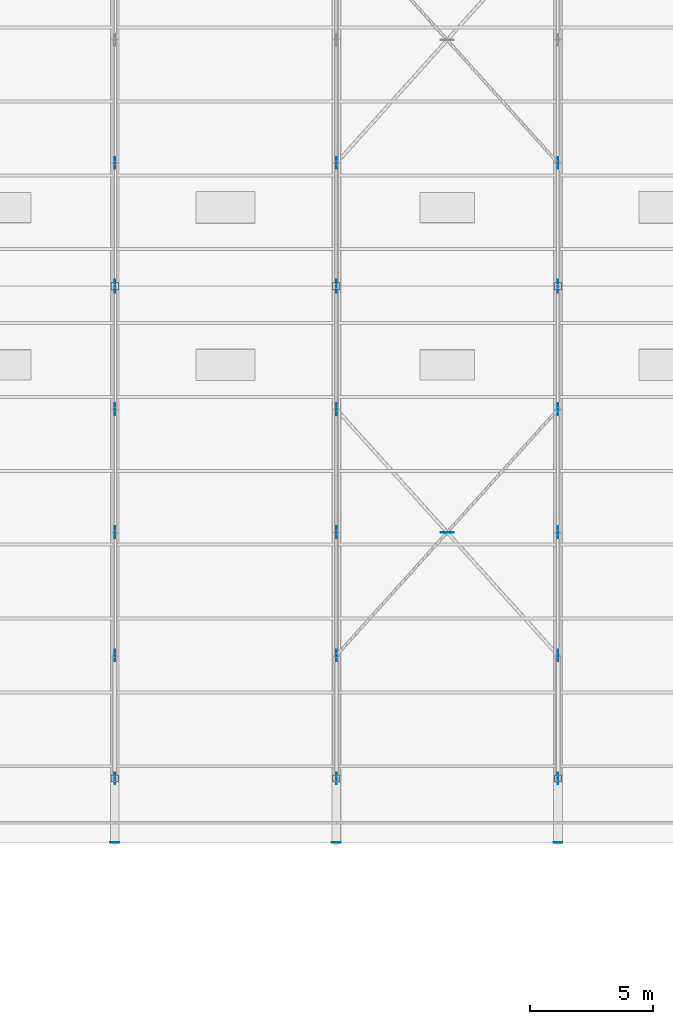
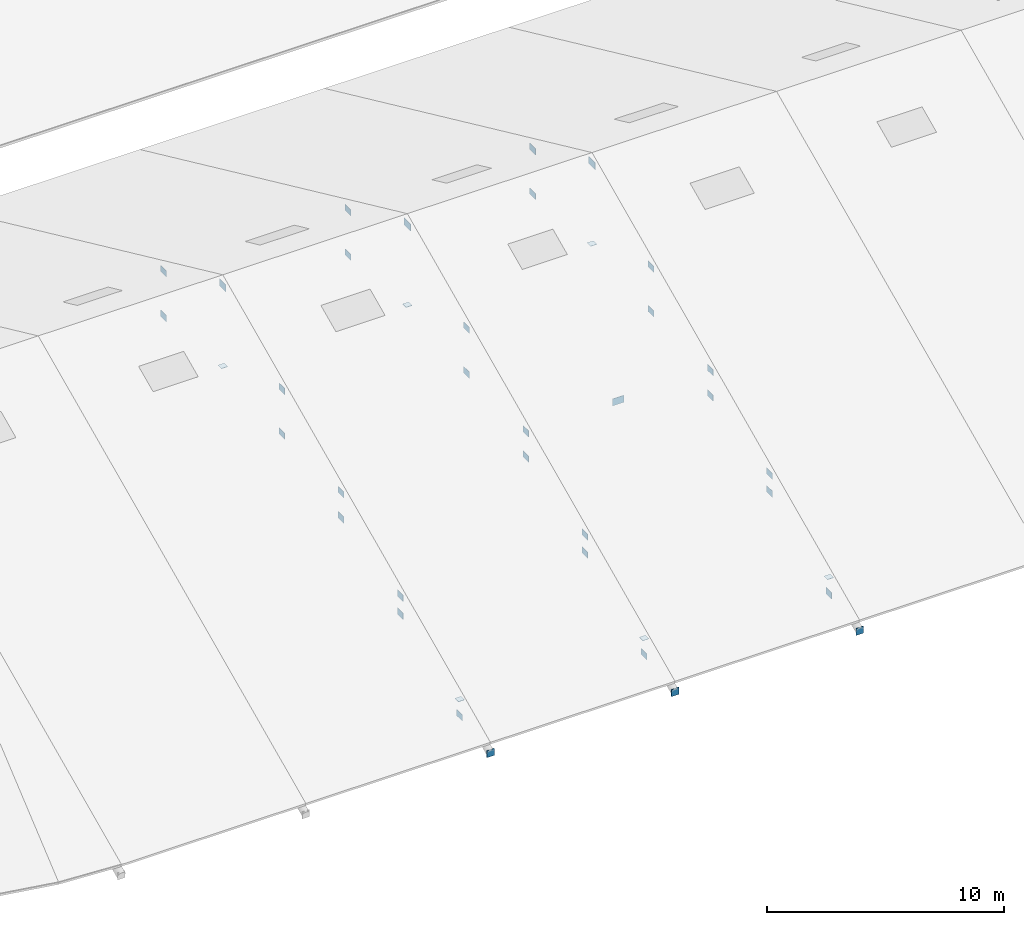
# One storey, part 89 of 107: 40 plates.
"""IFC4 building model written with IfcOpenShell, lengths in metres."""

from ifc_helpers import new_model, si_unit, derived_unit, direction, frame, origin, origin_2d, place, context, subcontext, project, spatial, rectangle, extrude, material, layer, layer_set, type_object, element, save


model = new_model("IFC4")

# Units and contexts
model_context = context("Model", 3, precision=1e-05, world=origin(), true_north=direction((0.0, 1.0)))
body_context = subcontext(model_context, "Body", "Model", "MODEL_VIEW")
ifc_project = project(units=[si_unit("LENGTHUNIT", "METRE"), si_unit("AREAUNIT", "SQUARE_METRE"), si_unit("VOLUMEUNIT", "CUBIC_METRE"), si_unit("PLANEANGLEUNIT", "RADIAN"), si_unit("MASSUNIT", "GRAM", prefix="KILO"), si_unit("THERMODYNAMICTEMPERATUREUNIT", "KELVIN"), si_unit("TIMEUNIT", "SECOND"), derived_unit("THERMALTRANSMITTANCEUNIT", [(si_unit("MASSUNIT", "GRAM", prefix="KILO"), 1), (si_unit("THERMODYNAMICTEMPERATUREUNIT", "KELVIN"), -1), (si_unit("TIMEUNIT", "SECOND"), -3)])], contexts=[model_context])

# Site, building, storey
site_placement = place(None, origin())
site = spatial("IfcSite", under=ifc_project, at=site_placement, CompositionType="ELEMENT")
building_placement = place(site_placement, origin())
building = spatial("IfcBuilding", under=site, at=building_placement, Name="Cambertide Market Hall", CompositionType="ELEMENT")
storey_placement = place(building_placement, frame((0.0, 0.0, 18.300048828125)))
storey = spatial("IfcBuildingStorey", under=building, at=storey_placement, Name="RF", CompositionType="ELEMENT", Elevation=18.300048828125)

# Plates
ifc_material_1 = material(Name="Steel S355", Category="steel")
ifc_layer_1 = layer(ifc_material_1, 0.013916015625, Name="Steel End Cap Plate EC-02")
ifc_layer_set_1 = layer_set([ifc_layer_1], Name="Steel S355")
plate_type_1 = type_object("IfcPlateType", Name="Steel End Cap Plate EC-02", PredefinedType="USERDEFINED", material=ifc_layer_set_1)
for number, where, z_axis, x_axis, name in (
    (1, (60.0, 52.0, -9.55712890625), (0.0, 0.0, 1.0), (1.0, 0.0, 0.0), "High-Bay Brace Connection End Cap Plate EC-BRN-031"),
    (2, (60.0, 72.0, -4.5068359375), (0.0, 0.0, 1.0), (1.0, 0.0, 0.0), "High-Bay Brace Connection End Cap Plate EC-BRN-032"),
    (3, (69.0, 52.0, -9.55712890625), (0.0, 0.0, 1.0), (1.0, 0.0, 0.0), "High-Bay Brace Connection End Cap Plate EC-BRN-042"),
    (4, (69.0, 72.0, -4.5068359375), (0.0, 0.0, 1.0), (1.0, 0.0, 0.0), "High-Bay Brace Connection End Cap Plate EC-BRN-043"),
    (5, (78.0, 52.0, -9.55712890625), (0.0, 0.0, 1.0), (1.0, 0.0, 0.0), "High-Bay Brace Connection End Cap Plate EC-BRN-053"),
    (6, (78.0, 72.0, -4.5068359375), (0.0, 0.0, 1.0), (1.0, 0.0, 0.0), "High-Bay Brace Connection End Cap Plate EC-BRN-054"),
):
    element("IfcPlate", number, at=place(storey_placement, frame(where, z_axis=z_axis, x_axis=x_axis)), inside=storey, type_object=plate_type_1, Name=name, ObjectType="END CAP PLATE", PredefinedType="USERDEFINED", context=body_context, shape_type="SweptSolid", body=[
        extrude(rectangle(XDim=0.300048828125, YDim=0.300048828125, at=origin_2d()), origin(), (0.0, 0.0, 1.0), 0.013916015625),
    ])
ifc_material_2 = material(Name="Steel S355", Category="steel")
ifc_layer_2 = layer(ifc_material_2, 0.02392578125, Name="Steel End Cap Plate EC-03E")
ifc_layer_set_2 = layer_set([ifc_layer_2], Name="Steel S355")
plate_type_2 = type_object("IfcPlateType", Name="Steel End Cap Plate EC-03E", PredefinedType="USERDEFINED", material=ifc_layer_set_2)
for number, where, z_axis, x_axis, name in (
    (7, (60.0, 49.39990234375, -10.92626953125), (0.0, 0.0, 1.0), (1.0, 0.0, 0.0), "Eave Overhang End Cap Plate 3-S"),
    (8, (69.0, 49.39990234375, -10.92626953125), (0.0, 0.0, 1.0), (1.0, 0.0, 0.0), "Eave Overhang End Cap Plate 4-S"),
    (9, (78.0, 49.39990234375, -10.92626953125), (0.0, 0.0, 1.0), (1.0, 0.0, 0.0), "Eave Overhang End Cap Plate 5-S"),
):
    element("IfcPlate", number, at=place(storey_placement, frame(where, z_axis=z_axis, x_axis=x_axis)), inside=storey, type_object=plate_type_2, Name=name, ObjectType="END CAP PLATE", PredefinedType="USERDEFINED", context=body_context, shape_type="SweptSolid", body=[
        extrude(rectangle(XDim=0.360107421875, YDim=0.02392578125, at=origin_2d()), origin(), (0.0, 0.0, 1.0), 0.360107421875),
    ])
ifc_material_3 = material(Name="Steel S355", Category="steel")
ifc_layer_3 = layer(ifc_material_3, 0.02001953125, Name="Steel Gusset Plate GP-01")
ifc_layer_set_3 = layer_set([ifc_layer_3], Name="Steel S355")
plate_type_3 = type_object("IfcPlateType", Name="Steel Gusset Plate GP-01", PredefinedType="USERDEFINED", material=ifc_layer_set_3)
for number, where, z_axis, x_axis, name in (
    (10, (60.0, 72.0, -0.5302734375), (0.0, 0.0, 1.0), (1.0, 0.0, 0.0), "Arch Truss 3 Node Gusset Plate 4"),
    (11, (69.0, 72.0, -0.5302734375), (0.0, 0.0, 1.0), (1.0, 0.0, 0.0), "Arch Truss 4 Node Gusset Plate 4"),
    (12, (78.0, 72.0, -0.5302734375), (0.0, 0.0, 1.0), (1.0, 0.0, 0.0), "Arch Truss 5 Node Gusset Plate 4"),
):
    element("IfcPlate", number, at=place(storey_placement, frame(where, z_axis=z_axis, x_axis=x_axis)), inside=storey, type_object=plate_type_3, Name=name, ObjectType="GUSSET PLATE", PredefinedType="USERDEFINED", context=body_context, shape_type="SweptSolid", body=[
        extrude(rectangle(XDim=0.02001953125, YDim=0.5400390625, at=origin_2d()), origin(), (0.0, 0.0, 1.0), 0.360107421875),
    ])
plate_placement = place(storey_placement, frame((73.5, 62.0, -5.1298828125), z_axis=(0.0, 0.0, 1.0), x_axis=(1.0, 0.0, 0.0)))
element("IfcPlate", 13, at=plate_placement, inside=storey, type_object=plate_type_3, Name="Wind X-Brace Crossing Gusset Plate 4-S", ObjectType="GUSSET PLATE", PredefinedType="USERDEFINED", context=body_context, shape_type="SweptSolid", body=[
    extrude(rectangle(XDim=0.5400390625, YDim=0.02001953125, at=origin_2d()), origin(), (0.0, 0.0, 1.0), 0.360107421875),
])
ifc_material_4 = material(Name="Steel S355", Category="steel")
ifc_layer_4 = layer(ifc_material_4, 0.01806640625, Name="Steel Gusset Plate GP-02")
ifc_layer_set_4 = layer_set([ifc_layer_4], Name="Steel S355")
plate_type_4 = type_object("IfcPlateType", Name="Steel Gusset Plate GP-02", PredefinedType="USERDEFINED", material=ifc_layer_set_4)
for number, where, z_axis, x_axis, name in (
    (14, (60.0, 57.0, -7.41015625), (0.0, 0.0, 1.0), (1.0, 0.0, 0.0), "Arch Truss 3 Node Gusset Plate 1"),
    (15, (60.0, 62.0, -5.10986328125), (0.0, 0.0, 1.0), (1.0, 0.0, 0.0), "Arch Truss 3 Node Gusset Plate 2"),
    (16, (60.0, 67.0, -2.81005859375), (0.0, 0.0, 1.0), (1.0, 0.0, 0.0), "Arch Truss 3 Node Gusset Plate 3"),
    (17, (60.0, 77.0, -2.81005859375), (0.0, 0.0, 1.0), (1.0, 0.0, 0.0), "Arch Truss 3 Node Gusset Plate 5"),
    (18, (69.0, 57.0, -7.41015625), (0.0, 0.0, 1.0), (1.0, 0.0, 0.0), "Arch Truss 4 Node Gusset Plate 1"),
    (19, (69.0, 62.0, -5.10986328125), (0.0, 0.0, 1.0), (1.0, 0.0, 0.0), "Arch Truss 4 Node Gusset Plate 2"),
    (20, (69.0, 67.0, -2.81005859375), (0.0, 0.0, 1.0), (1.0, 0.0, 0.0), "Arch Truss 4 Node Gusset Plate 3"),
    (21, (69.0, 77.0, -2.81005859375), (0.0, 0.0, 1.0), (1.0, 0.0, 0.0), "Arch Truss 4 Node Gusset Plate 5"),
    (22, (78.0, 57.0, -7.41015625), (0.0, 0.0, 1.0), (1.0, 0.0, 0.0), "Arch Truss 5 Node Gusset Plate 1"),
    (23, (78.0, 62.0, -5.10986328125), (0.0, 0.0, 1.0), (1.0, 0.0, 0.0), "Arch Truss 5 Node Gusset Plate 2"),
    (24, (78.0, 67.0, -2.81005859375), (0.0, 0.0, 1.0), (1.0, 0.0, 0.0), "Arch Truss 5 Node Gusset Plate 3"),
    (25, (78.0, 77.0, -2.81005859375), (0.0, 0.0, 1.0), (1.0, 0.0, 0.0), "Arch Truss 5 Node Gusset Plate 5"),
):
    element("IfcPlate", number, at=place(storey_placement, frame(where, z_axis=z_axis, x_axis=x_axis)), inside=storey, type_object=plate_type_4, Name=name, ObjectType="GUSSET PLATE", PredefinedType="USERDEFINED", context=body_context, shape_type="SweptSolid", body=[
        extrude(rectangle(XDim=0.01806640625, YDim=0.47998046875, at=origin_2d()), origin(), (0.0, 0.0, 1.0), 0.320068359375),
    ])
for number, where, z_axis, x_axis, name in (
    (26, (60.0, 52.0, -10.5400390625), (0.0, 0.0, 1.0), (0.0, 1.0, 0.0), "High-Bay Brace Connection Gusset Plate GP-BRN-023"),
    (27, (60.0, 57.0, -8.3369140625), (0.0, 0.0, 1.0), (0.0, 1.0, 0.0), "High-Bay Brace Connection Gusset Plate GP-BRN-024"),
    (28, (60.0, 62.0, -6.4111328125), (0.0, 0.0, 1.0), (0.0, 1.0, 0.0), "High-Bay Brace Connection Gusset Plate GP-BRN-025"),
    (29, (60.0, 67.0, -5.115234375), (0.0, 0.0, 1.0), (0.0, 1.0, 0.0), "High-Bay Brace Connection Gusset Plate GP-BRN-026"),
    (30, (60.0, 77.0, -5.115234375), (0.0, 0.0, 1.0), (0.0, 1.0, 0.0), "High-Bay Brace Connection Gusset Plate GP-BRN-027"),
    (31, (69.0, 52.0, -10.5400390625), (0.0, 0.0, 1.0), (0.0, 1.0, 0.0), "High-Bay Brace Connection Gusset Plate GP-BRN-034"),
    (32, (69.0, 57.0, -8.3369140625), (0.0, 0.0, 1.0), (0.0, 1.0, 0.0), "High-Bay Brace Connection Gusset Plate GP-BRN-035"),
    (33, (69.0, 62.0, -6.4111328125), (0.0, 0.0, 1.0), (0.0, 1.0, 0.0), "High-Bay Brace Connection Gusset Plate GP-BRN-036"),
    (34, (69.0, 67.0, -5.115234375), (0.0, 0.0, 1.0), (0.0, 1.0, 0.0), "High-Bay Brace Connection Gusset Plate GP-BRN-037"),
    (35, (69.0, 77.0, -5.115234375), (0.0, 0.0, 1.0), (0.0, 1.0, 0.0), "High-Bay Brace Connection Gusset Plate GP-BRN-038"),
    (36, (78.0, 52.0, -10.5400390625), (0.0, 0.0, 1.0), (0.0, 1.0, 0.0), "High-Bay Brace Connection Gusset Plate GP-BRN-045"),
    (37, (78.0, 57.0, -8.3369140625), (0.0, 0.0, 1.0), (0.0, 1.0, 0.0), "High-Bay Brace Connection Gusset Plate GP-BRN-046"),
    (38, (78.0, 62.0, -6.4111328125), (0.0, 0.0, 1.0), (0.0, 1.0, 0.0), "High-Bay Brace Connection Gusset Plate GP-BRN-047"),
    (39, (78.0, 67.0, -5.115234375), (0.0, 0.0, 1.0), (0.0, 1.0, 0.0), "High-Bay Brace Connection Gusset Plate GP-BRN-048"),
    (40, (78.0, 77.0, -5.115234375), (0.0, 0.0, 1.0), (0.0, 1.0, 0.0), "High-Bay Brace Connection Gusset Plate GP-BRN-049"),
):
    element("IfcPlate", number, at=place(storey_placement, frame(where, z_axis=z_axis, x_axis=x_axis)), inside=storey, type_object=plate_type_4, Name=name, ObjectType="GUSSET PLATE", PredefinedType="USERDEFINED", context=body_context, shape_type="SweptSolid", body=[
        extrude(rectangle(XDim=0.47998046875, YDim=0.01806640625, at=origin_2d()), origin(), (0.0, 0.0, 1.0), 0.320068359375),
    ])

save(model, "model.ifc")
